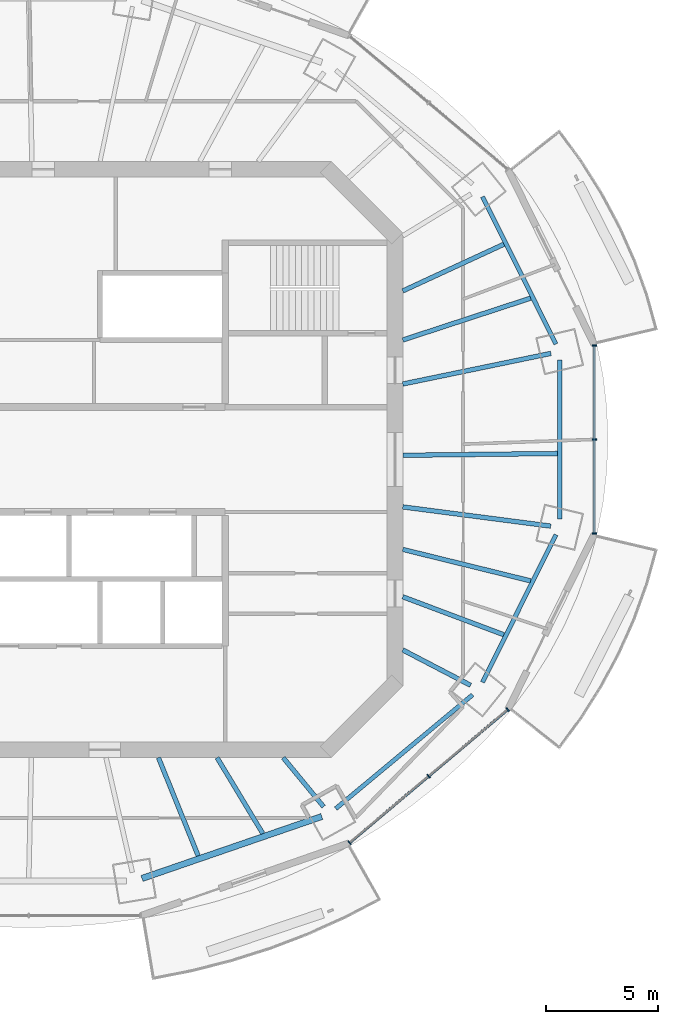
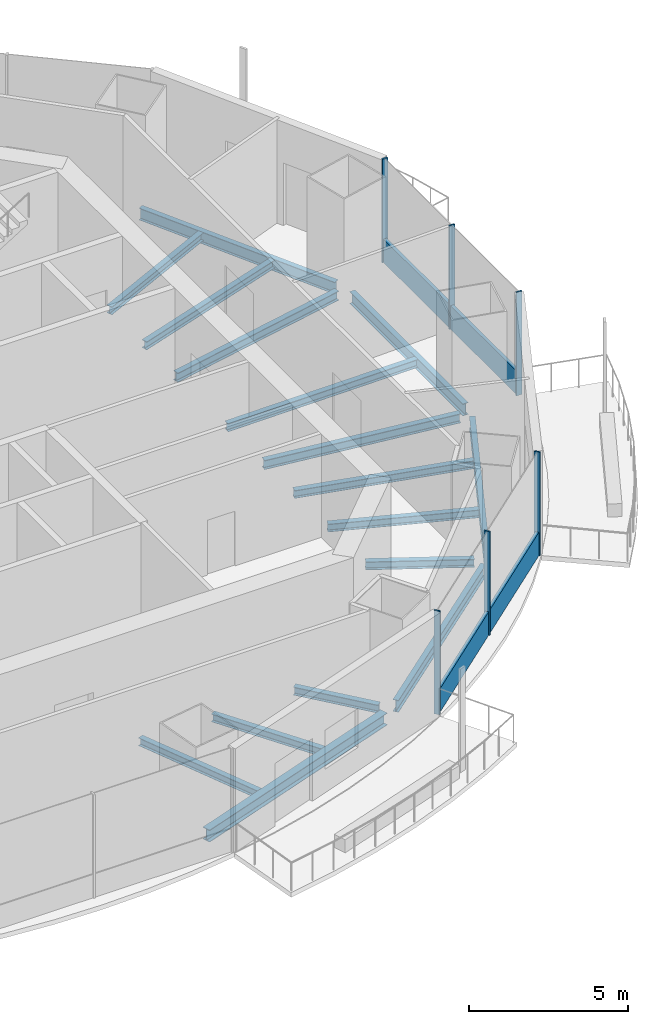
# One storey, part 4 of 16: 16 beams, 8 members, 2 elements without a shape of their own.
"""IFC4 building model written with IfcOpenShell, lengths in metres."""

import ifcopenshell
import ifcopenshell.guid

model = None  # the IFC model being written
_history = None  # IfcOwnerHistory: only IFC2X3 demands one
_inside = {}  # id of a spatial element -> (the spatial element, [elements in it])
_under = {}  # id of a project, library or spatial element -> (it, [spatial elements below it])
_declared = {}  # id of a project -> (the project, [libraries it declares])
_typed = {}  # id of a type object -> (the type object, [elements of that type])
_made_of = {}  # id of a material, layer set ... -> (it, [elements and type objects made of it])


def new_model(schema):
    """Start an empty IFC model of exactly this schema.

    Asked for "IFC4X3", IfcOpenShell would pick the latest addendum, in which some entities
    have other attributes; the version numbers below select the first issue.
    IFC2X3 requires an IfcOwnerHistory on every rooted entity: one is made here for all.
    """
    global model, _history
    if schema == "IFC4X3":
        model = ifcopenshell.file(schema_version=(4, 3, 0, 0))
    else:
        model = ifcopenshell.file(schema=schema)
    _inside.clear()
    _under.clear()
    _declared.clear()
    _typed.clear()
    _made_of.clear()
    _history = None
    if model.schema == "IFC2X3":
        org = make("IfcOrganization", Name="unknown")
        user = make(
            "IfcPersonAndOrganization",
            ThePerson=make("IfcPerson", FamilyName="unknown"),
            TheOrganization=org,
        )
        app = make(
            "IfcApplication",
            ApplicationDeveloper=org,
            Version="unknown",
            ApplicationFullName="unknown",
            ApplicationIdentifier="unknown",
        )
        _history = make(
            "IfcOwnerHistory",
            OwningUser=user,
            OwningApplication=app,
            ChangeAction="ADDED",
            CreationDate=0,
        )
    return model


def make(cls, **values):
    """One entity of the class cls with the attributes given. An attribute that is None is left unset."""
    return model.create_entity(
        cls, **{name: value for name, value in values.items() if value is not None}
    )


def rooted(cls, **values):
    """An entity with a GlobalId (a new one), such as an element, a storey or a relation."""
    return make(cls, GlobalId=ifcopenshell.guid.new(), OwnerHistory=_history, **values)


def si_unit(unit_type, name, prefix=None):
    """IfcSIUnit, for example si_unit("LENGTHUNIT", "METRE", prefix="MILLI")."""
    return make("IfcSIUnit", UnitType=unit_type, Prefix=prefix, Name=name)


def assignment(units):
    """IfcUnitAssignment: the units of a project."""
    return None if units is None else make("IfcUnitAssignment", Units=units)


def point(xyz):
    """IfcCartesianPoint."""
    return None if xyz is None else make("IfcCartesianPoint", Coordinates=xyz)


def direction(xyz):
    """IfcDirection."""
    return None if xyz is None else make("IfcDirection", DirectionRatios=xyz)


def frame(location, z_axis=None, x_axis=None):
    """IfcAxis2Placement3D, a coordinate frame: its origin and axes. An axis left out is left unset."""
    return make(
        "IfcAxis2Placement3D",
        Location=point(location),
        Axis=direction(z_axis),
        RefDirection=direction(x_axis),
    )


def frame_2d(location, x_axis=None):
    """IfcAxis2Placement2D, a coordinate frame in the plane: its origin and x axis."""
    return make(
        "IfcAxis2Placement2D", Location=point(location), RefDirection=direction(x_axis)
    )


def origin():
    """The frame at (0, 0, 0) with its axes left unset."""
    return frame((0.0, 0.0, 0.0))


def origin_2d():
    """The frame at (0, 0) in the plane with its x axis left unset."""
    return frame_2d((0.0, 0.0))


def place(relative_to, where):
    """IfcLocalPlacement: puts the frame where relative to a parent placement (None: the world)."""
    return make(
        "IfcLocalPlacement", PlacementRelTo=relative_to, RelativePlacement=where
    )


def context(
    kind, dimensions, precision=None, world=None, true_north=None, identifier=None
):
    """IfcGeometricRepresentationContext, for example the 3D "Model" context."""
    return make(
        "IfcGeometricRepresentationContext",
        ContextIdentifier=identifier,
        ContextType=kind,
        CoordinateSpaceDimension=dimensions,
        Precision=precision,
        WorldCoordinateSystem=world,
        TrueNorth=true_north,
    )


def subcontext(parent, identifier, kind, view, scale=None):
    """IfcGeometricRepresentationSubContext, for example "Body" below "Model"."""
    return make(
        "IfcGeometricRepresentationSubContext",
        ContextIdentifier=identifier,
        ContextType=kind,
        ParentContext=parent,
        TargetScale=scale,
        TargetView=view,
    )


def project(units=None, contexts=None):
    """IfcProject with its units and contexts."""
    return rooted(
        "IfcProject",
        Name="project",
        RepresentationContexts=contexts,
        UnitsInContext=assignment(units),
    )


def spatial(cls, under=None, at=None, **own):
    """A site, building, storey or space (cls), placed at a placement, below another one or the project."""
    s = rooted(cls, ObjectPlacement=at, **own)
    if under is not None:
        _under.setdefault(under.id(), (under, []))[1].append(s)
    return s


def profile(cls, at=None, kind="AREA", **sizes):
    """A parametric profile (cls). Its sizes go by their IFC names, for example OverallWidth=200.0."""
    return make(cls, ProfileType=kind, Position=at, **sizes)


def rectangle(**sizes):
    """IfcRectangleProfileDef."""
    return profile("IfcRectangleProfileDef", **sizes)


def i_section(**sizes):
    """IfcIShapeProfileDef."""
    return profile("IfcIShapeProfileDef", **sizes)


def extrude(swept, where, along, depth):
    """IfcExtrudedAreaSolid: the profile swept, set in the frame where, extruded along a direction by depth."""
    return make(
        "IfcExtrudedAreaSolid",
        SweptArea=swept,
        Position=where,
        ExtrudedDirection=direction(along),
        Depth=depth,
    )


def shape(context_of_items, identifier, shape_type, items):
    """IfcShapeRepresentation: the items that make up one representation, for example the "Body"."""
    return make(
        "IfcShapeRepresentation",
        ContextOfItems=context_of_items,
        RepresentationIdentifier=identifier,
        RepresentationType=shape_type,
        Items=items,
    )


def material(Name=None, Category=None):
    """IfcMaterial."""
    return make("IfcMaterial", Name=Name, Category=Category)


def material_profile(
    of_material, cross_section, Name=None, Category=None, Priority=None
):
    """IfcMaterialProfile: a cross section and its material."""
    return make(
        "IfcMaterialProfile",
        Name=Name,
        Material=of_material,
        Profile=cross_section,
        Priority=Priority,
        Category=Category,
    )


def profile_set(profiles, Name=None, composite=None):
    """IfcMaterialProfileSet."""
    return make(
        "IfcMaterialProfileSet",
        Name=Name,
        MaterialProfiles=profiles,
        CompositeProfile=composite,
    )


def made_of(thing, what):
    """Note that an element or type object is made of a material, layer set ...; save() writes the relation."""
    if what is not None:
        _made_of.setdefault(what.id(), (what, []))[1].append(thing)
    return thing


def type_object(cls, material=None, **own):
    """A type object (cls), such as IfcWallType, which elements share."""
    return made_of(rooted(cls, **own), material)


def element(
    cls,
    number,
    at=None,
    inside=None,
    cuts=None,
    type_object=None,
    material=None,
    context=None,
    identifier="Body",
    shape_type=None,
    held_by="IfcProductDefinitionShape",
    body=None,
    shapes=None,
    **own,
):
    """One element of the class cls, such as IfcWall. Its Tag is "e" and its number.

    at: its placement. inside: the storey or other place that contains it. cuts: it is an
    opening in that element (IfcRelVoidsElement). A single representation is given by context,
    identifier, shape_type and body (its items); several are given by shapes. held_by: the class
    of the entity that holds the representations. save() writes the other relations.
    """
    e = rooted(cls, Tag="e%d" % number, ObjectPlacement=at, **own)
    if body is not None:
        shapes = [shape(context, identifier, shape_type, body)]
    if shapes is not None:
        e.Representation = make(held_by, Representations=shapes)
    if inside is not None:
        _inside.setdefault(inside.id(), (inside, []))[1].append(e)
    if cuts is not None:
        rooted(
            "IfcRelVoidsElement", RelatingBuildingElement=cuts, RelatedOpeningElement=e
        )
    if type_object is not None:
        _typed.setdefault(type_object.id(), (type_object, []))[1].append(e)
    return made_of(e, material)


def aggregate(whole, parts):
    """IfcRelAggregates: a whole, such as a stair, and the parts it consists of."""
    return rooted("IfcRelAggregates", RelatingObject=whole, RelatedObjects=parts)


def save(model, path):
    """Write the relations noted so far, then the file.

    IfcRelAggregates (storeys below a building ...), IfcRelContainedInSpatialStructure (elements
    in a storey), IfcRelDefinesByType, IfcRelAssociatesMaterial and IfcRelDeclares: one each for
    every whole, place, type object, material and project.
    """
    for whole, parts in _under.values():
        aggregate(whole, parts)
    for where, things in _inside.values():
        rooted(
            "IfcRelContainedInSpatialStructure",
            RelatedElements=things,
            RelatingStructure=where,
        )
    for kind, things in _typed.values():
        rooted("IfcRelDefinesByType", RelatedObjects=things, RelatingType=kind)
    for what, things in _made_of.values():
        rooted("IfcRelAssociatesMaterial", RelatedObjects=things, RelatingMaterial=what)
    for by, libraries in _declared.values():
        rooted("IfcRelDeclares", RelatingContext=by, RelatedDefinitions=libraries)
    model.write(path)


model = new_model("IFC4")

# Units and contexts
model_context = context("Model", 3, precision=1e-05, world=origin(), true_north=direction((0.0, 1.0)))
body_context = subcontext(model_context, "Body", "Model", "MODEL_VIEW")
ifc_project = project(units=[si_unit("LENGTHUNIT", "METRE"), si_unit("AREAUNIT", "SQUARE_METRE"), si_unit("VOLUMEUNIT", "CUBIC_METRE"), si_unit("PLANEANGLEUNIT", "RADIAN"), si_unit("MASSUNIT", "GRAM", prefix="KILO")], contexts=[model_context])

# Site, building, storey
site_placement = place(None, origin())
site = spatial("IfcSite", under=ifc_project, at=site_placement, CompositionType="ELEMENT")
building_placement = place(site_placement, origin())
building = spatial("IfcBuilding", under=site, at=building_placement, Name="Marenthal Gate Tower", CompositionType="ELEMENT")
storey_placement = place(building_placement, frame((0.0, 0.0, 379.949951171875)))
storey = spatial("IfcBuildingStorey", under=building, at=storey_placement, Name="L86", CompositionType="ELEMENT", Elevation=379.949951171875)

# Curtain wall, members
ifc_material_1 = material(Name="Aluminium and glass", Category="aluminium")
curtain_wall_type = type_object("IfcCurtainWallType", Name="Curtain wall typical high", PredefinedType="NOTDEFINED", material=ifc_material_1)
curtain_wall_1_placement = place(storey_placement, origin())
curtain_wall_1 = element("IfcCurtainWall", 1, at=curtain_wall_1_placement, inside=storey, type_object=curtain_wall_type, Name="Curtain wall L86 bay 14", PredefinedType="NOTDEFINED")
ifc_material_2 = material(Name="Aluminium", Category="aluminium")
ifc_material_profile_1 = material_profile(ifc_material_2, rectangle(XDim=0.199951171875, YDim=0.06005859375, at=origin_2d()), Name="60x200 aluminium mullion")
ifc_profile_set_1 = profile_set([ifc_material_profile_1], Name="Aluminium")
member_type_1 = type_object("IfcMemberType", Name="Mullion 60x200 typical high", PredefinedType="MULLION", material=ifc_profile_set_1)
member_1_placement = place(storey_placement, frame((13.96875, -17.160888671875, 0.0), z_axis=(0.0, 0.0, 1.0), x_axis=(-0.64413508453, 0.764911754961, 0.0)))
member_1 = element("IfcMember", 2, at=member_1_placement, type_object=member_type_1, Name="Mullion L86 bay 14.1", PredefinedType="MULLION", context=body_context, shape_type="SweptSolid", body=[
    extrude(rectangle(XDim=0.199951171875, YDim=0.06005859375, at=origin_2d()), origin(), (0.0, 0.0, 1.0), 3.969970703125),
])
member_2_placement = place(storey_placement, frame((17.508056640625, -14.1806640625, 0.0), z_axis=(0.0, 0.0, 1.0), x_axis=(-0.64413508453, 0.764911754961, 0.0)))
member_2 = element("IfcMember", 3, at=member_2_placement, type_object=member_type_1, Name="Mullion L86 bay 14.2", PredefinedType="MULLION", context=body_context, shape_type="SweptSolid", body=[
    extrude(rectangle(XDim=0.199951171875, YDim=0.06005859375, at=origin_2d()), origin(), (0.0, 0.0, 1.0), 3.969970703125),
])
member_3_placement = place(storey_placement, frame((21.04736328125, -11.2001953125, 0.0), z_axis=(0.0, 0.0, 1.0), x_axis=(-0.64413508453, 0.764911754961, 0.0)))
member_3 = element("IfcMember", 4, at=member_3_placement, type_object=member_type_1, Name="Mullion L86 bay 14.3", PredefinedType="MULLION", context=body_context, shape_type="SweptSolid", body=[
    extrude(rectangle(XDim=0.199951171875, YDim=0.06005859375, at=origin_2d()), origin(), (0.0, 0.0, 1.0), 3.969970703125),
])

curtain_wall_2_placement = place(storey_placement, origin())
curtain_wall_2 = element("IfcCurtainWall", 5, at=curtain_wall_2_placement, inside=storey, type_object=curtain_wall_type, Name="Curtain wall L86 bay 16", PredefinedType="NOTDEFINED")
member_4_placement = place(storey_placement, frame((24.92578125, -3.312255859375, 0.0), z_axis=(0.0, 0.0, 1.0), x_axis=(-1.0, 0.0, 0.0)))
member_4 = element("IfcMember", 6, at=member_4_placement, type_object=member_type_1, Name="Mullion L86 bay 16.1", PredefinedType="MULLION", context=body_context, shape_type="SweptSolid", body=[
    extrude(rectangle(XDim=0.199951171875, YDim=0.06005859375, at=origin_2d()), origin(), (0.0, 0.0, 1.0), 3.969970703125),
])
member_5_placement = place(storey_placement, frame((24.92578125, 0.89990234375, 0.0), z_axis=(0.0, 0.0, 1.0), x_axis=(-1.0, 0.0, 0.0)))
member_5 = element("IfcMember", 7, at=member_5_placement, type_object=member_type_1, Name="Mullion L86 bay 16.2", PredefinedType="MULLION", context=body_context, shape_type="SweptSolid", body=[
    extrude(rectangle(XDim=0.199951171875, YDim=0.06005859375, at=origin_2d()), origin(), (0.0, 0.0, 1.0), 3.969970703125),
])
member_6_placement = place(storey_placement, frame((24.92578125, 5.1123046875, 0.0), z_axis=(0.0, 0.0, 1.0), x_axis=(-1.0, 0.0, 0.0)))
member_6 = element("IfcMember", 8, at=member_6_placement, type_object=member_type_1, Name="Mullion L86 bay 16.3", PredefinedType="MULLION", context=body_context, shape_type="SweptSolid", body=[
    extrude(rectangle(XDim=0.199951171875, YDim=0.06005859375, at=origin_2d()), origin(), (0.0, 0.0, 1.0), 3.969970703125),
])

# Member
ifc_material_3 = material(Name="Aluminium", Category="aluminium")
ifc_material_profile_2 = material_profile(ifc_material_3, rectangle(XDim=0.1201171875, YDim=0.89990234375, at=origin_2d()), Name="120x900 aluminium transom")
ifc_profile_set_2 = profile_set([ifc_material_profile_2], Name="Aluminium")
member_type_2 = type_object("IfcMemberType", Name="Transom 120x900 typical high", PredefinedType="USERDEFINED", material=ifc_profile_set_2)
member_7_placement = place(storey_placement, frame((13.99169921875, -17.1416015625, 0.449951171875), z_axis=(0.764920149863, 0.644125115435, 0.0), x_axis=(-0.644125115435, 0.764920149863, 0.0)))
member_7 = element("IfcMember", 9, at=member_7_placement, type_object=member_type_2, Name="Transom L86 bay 14", ObjectType="TRANSOM", PredefinedType="USERDEFINED", context=body_context, shape_type="SweptSolid", body=[
    extrude(rectangle(XDim=0.1201171875, YDim=0.89990234375, at=origin_2d()), origin(), (0.0, 0.0, 1.0), 9.194091796875),
])

aggregate(curtain_wall_1, [member_1, member_2, member_3, member_7])

member_8_placement = place(storey_placement, frame((24.92578125, -3.2822265625, 0.449951171875), z_axis=(0.0, 1.0, 0.0), x_axis=(-1.0, 0.0, 0.0)))
member_8 = element("IfcMember", 10, at=member_8_placement, type_object=member_type_2, Name="Transom L86 bay 16", ObjectType="TRANSOM", PredefinedType="USERDEFINED", context=body_context, shape_type="SweptSolid", body=[
    extrude(rectangle(XDim=0.1201171875, YDim=0.89990234375, at=origin_2d()), origin(), (0.0, 0.0, 1.0), 8.364501953125),
])

aggregate(curtain_wall_2, [member_4, member_5, member_6, member_8])

# Beams
ifc_material_4 = material(Name="Steel S355", Category="steel")
ifc_material_profile_3 = material_profile(ifc_material_4, i_section(OverallWidth=0.202880859375, OverallDepth=0.302001953125, WebThickness=0.007568359375, FlangeThickness=0.01318359375, FilletRadius=0.0126953125, at=origin_2d()), Name="W310X60")
ifc_profile_set_3 = profile_set([ifc_material_profile_3], Name="Steel S355")
beam_type_1 = type_object("IfcBeamType", Name="W310X60 beam", PredefinedType="BEAM", material=ifc_profile_set_3)
beam_1_placement = place(storey_placement, frame((20.876220703125, 9.639892578125, -0.3310546875), z_axis=(-0.907874801324, -0.419241392423, 0.0), x_axis=(0.419241392423, -0.907874801324, 0.0)))
element("IfcBeam", 11, at=beam_1_placement, inside=storey, type_object=beam_type_1, Name="BM-L86-18", PredefinedType="BEAM", context=body_context, shape_type="SweptSolid", body=[
    extrude(i_section(OverallWidth=0.202880859375, OverallDepth=0.302001953125, WebThickness=0.007568359375, FlangeThickness=0.01318359375, FilletRadius=0.0126953125, at=origin_2d()), origin(), (0.0, 0.0, 1.0), 4.9853515625),
])
beam_2_placement = place(storey_placement, frame((7.18994140625, -17.744384765625, -0.3310546875), z_axis=(-0.375577216906, 0.92679110599, 0.0), x_axis=(-0.92679110599, -0.375577216906, 0.0)))
element("IfcBeam", 12, at=beam_2_placement, inside=storey, type_object=beam_type_1, Name="BM-L86-34", PredefinedType="BEAM", context=body_context, shape_type="SweptSolid", body=[
    extrude(i_section(OverallWidth=0.202880859375, OverallDepth=0.302001953125, WebThickness=0.007568359375, FlangeThickness=0.01318359375, FilletRadius=0.0126953125, at=origin_2d()), origin(), (0.0, 0.0, 1.0), 4.741455078125),
])
beam_3_placement = place(storey_placement, frame((10.08154296875, -16.748046875, -0.3310546875), z_axis=(-0.515726369496, 0.856753355293, 0.0), x_axis=(-0.856753355293, -0.515726369496, 0.0)))
element("IfcBeam", 13, at=beam_3_placement, inside=storey, type_object=beam_type_1, Name="BM-L86-35", PredefinedType="BEAM", context=body_context, shape_type="SweptSolid", body=[
    extrude(i_section(OverallWidth=0.202880859375, OverallDepth=0.302001953125, WebThickness=0.007568359375, FlangeThickness=0.01318359375, FilletRadius=0.0126953125, at=origin_2d()), origin(), (0.0, 0.0, 1.0), 3.966064453125),
])
beam_4_placement = place(storey_placement, frame((20.873291015625, -7.84619140625, -0.3310546875), z_axis=(-0.936056897924, 0.351848666117, 0.0), x_axis=(-0.351848666117, -0.936056897924, 0.0)))
element("IfcBeam", 14, at=beam_4_placement, inside=storey, type_object=beam_type_1, Name="BM-L86-36", PredefinedType="BEAM", context=body_context, shape_type="SweptSolid", body=[
    extrude(i_section(OverallWidth=0.202880859375, OverallDepth=0.302001953125, WebThickness=0.007568359375, FlangeThickness=0.01318359375, FilletRadius=0.0126953125, at=origin_2d()), origin(), (0.0, 0.0, 1.0), 4.832275390625),
])
beam_5_placement = place(storey_placement, frame((22.07470703125, -5.43359375, -0.3310546875), z_axis=(-0.971013104532, 0.239026255517, 0.0), x_axis=(-0.239026255517, -0.971013104532, 0.0)))
element("IfcBeam", 15, at=beam_5_placement, inside=storey, type_object=beam_type_1, Name="BM-L86-37", PredefinedType="BEAM", context=body_context, shape_type="SweptSolid", body=[
    extrude(i_section(OverallWidth=0.202880859375, OverallDepth=0.302001953125, WebThickness=0.007568359375, FlangeThickness=0.01318359375, FilletRadius=0.0126953125, at=origin_2d()), origin(), (0.0, 0.0, 1.0), 5.8955078125),
])
ifc_material_5 = material(Name="Steel S355", Category="steel")
ifc_material_profile_4 = material_profile(ifc_material_5, i_section(OverallWidth=0.205078125, OverallDepth=0.31005859375, WebThickness=0.009521484375, FlangeThickness=0.016357421875, FilletRadius=0.0126953125, at=origin_2d()), Name="W310X74")
ifc_profile_set_4 = profile_set([ifc_material_profile_4], Name="Steel S355")
beam_type_2 = type_object("IfcBeamType", Name="W310X74 beam", PredefinedType="BEAM", material=ifc_profile_set_4)
beam_6_placement = place(storey_placement, frame((12.80419921875, -15.546142578125, -0.3349609375), z_axis=(-0.635776430195, 0.771873260846, 0.0), x_axis=(-0.771873260846, -0.635776430195, 0.0)))
element("IfcBeam", 16, at=beam_6_placement, inside=storey, type_object=beam_type_2, Name="BM-L86-14", PredefinedType="BEAM", context=body_context, shape_type="SweptSolid", body=[
    extrude(i_section(OverallWidth=0.205078125, OverallDepth=0.31005859375, WebThickness=0.009521484375, FlangeThickness=0.016357421875, FilletRadius=0.0126953125, at=origin_2d()), origin(), (0.0, 0.0, 1.0), 2.844970703125),
])
beam_7_placement = place(storey_placement, frame((19.38623046875, -10.110107421875, -0.3349609375), z_axis=(-0.886653485234, 0.462434424673, 0.0), x_axis=(-0.462434424673, -0.886653485234, 0.0)))
element("IfcBeam", 17, at=beam_7_placement, inside=storey, type_object=beam_type_2, Name="BM-L86-15", PredefinedType="BEAM", context=body_context, shape_type="SweptSolid", body=[
    extrude(i_section(OverallWidth=0.205078125, OverallDepth=0.31005859375, WebThickness=0.009521484375, FlangeThickness=0.016357421875, FilletRadius=0.0126953125, at=origin_2d()), origin(), (0.0, 0.0, 1.0), 3.42431640625),
])
beam_8_placement = place(storey_placement, frame((22.077880859375, 7.22705078125, -0.3349609375), z_axis=(-0.9503749188, -0.311106916857, 0.0), x_axis=(0.311106916857, -0.9503749188, 0.0)))
element("IfcBeam", 18, at=beam_8_placement, inside=storey, type_object=beam_type_2, Name="BM-L86-17", PredefinedType="BEAM", context=body_context, shape_type="SweptSolid", body=[
    extrude(i_section(OverallWidth=0.205078125, OverallDepth=0.31005859375, WebThickness=0.009521484375, FlangeThickness=0.016357421875, FilletRadius=0.0126953125, at=origin_2d()), origin(), (0.0, 0.0, 1.0), 6.02685546875),
])
beam_9_placement = place(storey_placement, frame((23.28076171875, 0.26953125, -0.3349609375), z_axis=(-0.999932849622, -0.011588625741, 0.0), x_axis=(0.011588625741, -0.999932849622, 0.0)))
element("IfcBeam", 19, at=beam_9_placement, inside=storey, type_object=beam_type_2, Name="BM-L86-38", PredefinedType="BEAM", context=body_context, shape_type="SweptSolid", body=[
    extrude(i_section(OverallWidth=0.205078125, OverallDepth=0.31005859375, WebThickness=0.009521484375, FlangeThickness=0.016357421875, FilletRadius=0.0126953125, at=origin_2d()), origin(), (0.0, 0.0, 1.0), 6.93115234375),
])
ifc_material_6 = material(Name="Steel S355", Category="steel")
ifc_material_profile_5 = material_profile(ifc_material_6, i_section(OverallWidth=0.205078125, OverallDepth=0.35302734375, WebThickness=0.009521484375, FlangeThickness=0.016845703125, FilletRadius=0.014892578125, at=origin_2d()), Name="W360X79")
ifc_profile_set_5 = profile_set([ifc_material_profile_5], Name="Steel S355")
beam_type_3 = type_object("IfcBeamType", Name="W360X79 beam", PredefinedType="BEAM", material=ifc_profile_set_5)
beam_10_placement = place(storey_placement, frame((22.98388671875, 4.7529296875, -0.3564453125), z_axis=(-0.979280386775, -0.202509071592, 0.0), x_axis=(0.202509071592, -0.979280386775, 0.0)))
element("IfcBeam", 20, at=beam_10_placement, inside=storey, type_object=beam_type_3, Name="BM-L86-01", PredefinedType="BEAM", context=body_context, shape_type="SweptSolid", body=[
    extrude(i_section(OverallWidth=0.205078125, OverallDepth=0.35302734375, WebThickness=0.009521484375, FlangeThickness=0.016845703125, FilletRadius=0.014892578125, at=origin_2d()), origin(), (0.0, 0.0, 1.0), 6.774169921875),
])
beam_11_placement = place(storey_placement, frame((22.974609375, -2.98193359375, -0.3564453125), z_axis=(-0.991680921641, 0.128720432152, 0.0), x_axis=(-0.128720432152, -0.991680921641, 0.0)))
element("IfcBeam", 21, at=beam_11_placement, inside=storey, type_object=beam_type_3, Name="BM-L86-16", PredefinedType="BEAM", context=body_context, shape_type="SweptSolid", body=[
    extrude(i_section(OverallWidth=0.205078125, OverallDepth=0.35302734375, WebThickness=0.009521484375, FlangeThickness=0.016845703125, FilletRadius=0.014892578125, at=origin_2d()), origin(), (0.0, 0.0, 1.0), 6.68017578125),
])
ifc_material_7 = material(Name="Steel S355", Category="steel")
ifc_material_profile_6 = material_profile(ifc_material_7, i_section(OverallWidth=0.279052734375, OverallDepth=0.4619140625, WebThickness=0.0107421875, FlangeThickness=0.017333984375, FilletRadius=0.010009765625, at=origin_2d()), Name="W460X113")
ifc_profile_set_6 = profile_set([ifc_material_profile_6], Name="Steel S355")
beam_type_4 = type_object("IfcBeamType", Name="W460X113 beam", PredefinedType="BEAM", material=ifc_profile_set_6)
beam_12_placement = place(storey_placement, frame((4.671875, -18.759521484375, -0.410888671875), z_axis=(0.945450630653, 0.32576541406, 0.0), x_axis=(-0.32576541406, 0.945450630653, 0.0)))
element("IfcBeam", 22, at=beam_12_placement, inside=storey, type_object=beam_type_4, Name="BM-L86-51", PredefinedType="BEAM", context=body_context, shape_type="SweptSolid", body=[
    extrude(i_section(OverallWidth=0.279052734375, OverallDepth=0.4619140625, WebThickness=0.0107421875, FlangeThickness=0.017333984375, FilletRadius=0.010009765625, at=origin_2d()), origin(), (0.0, 0.0, 1.0), 8.517333984375),
])
ifc_material_8 = material(Name="Steel S355", Category="steel")
ifc_material_profile_7 = material_profile(ifc_material_8, i_section(OverallWidth=0.19091796875, OverallDepth=0.45703125, WebThickness=0.009033203125, FlangeThickness=0.014404296875, FilletRadius=0.01025390625, at=origin_2d()), Name="W460X74")
ifc_profile_set_7 = profile_set([ifc_material_profile_7], Name="Steel S355")
beam_type_5 = type_object("IfcBeamType", Name="W460X74 beam", PredefinedType="BEAM", material=ifc_profile_set_7)
beam_13_placement = place(storey_placement, frame((23.210205078125, 5.16748046875, -0.408447265625), z_axis=(-0.445757037606, 0.895153988666, 0.0), x_axis=(-0.895153988666, -0.445757037606, 0.0)))
element("IfcBeam", 23, at=beam_13_placement, inside=storey, type_object=beam_type_5, Name="BM-L86-39", PredefinedType="BEAM", context=body_context, shape_type="SweptSolid", body=[
    extrude(i_section(OverallWidth=0.19091796875, OverallDepth=0.45703125, WebThickness=0.009033203125, FlangeThickness=0.014404296875, FilletRadius=0.01025390625, at=origin_2d()), origin(), (0.0, 0.0, 1.0), 7.3779296875),
])
beam_14_placement = place(storey_placement, frame((13.3486328125, -15.63330078125, -0.408447265625), z_axis=(0.76879863702, 0.639490934819, 0.0), x_axis=(-0.639490934819, 0.76879863702, 0.0)))
element("IfcBeam", 24, at=beam_14_placement, inside=storey, type_object=beam_type_5, Name="BM-L86-52", PredefinedType="BEAM", context=body_context, shape_type="SweptSolid", body=[
    extrude(i_section(OverallWidth=0.19091796875, OverallDepth=0.45703125, WebThickness=0.009033203125, FlangeThickness=0.014404296875, FilletRadius=0.01025390625, at=origin_2d()), origin(), (0.0, 0.0, 1.0), 7.967529296875),
])
beam_15_placement = place(storey_placement, frame((19.92138671875, -9.971923828125, -0.408447265625), z_axis=(0.445757037606, 0.895153988666, 0.0), x_axis=(-0.895153988666, 0.445757037606, 0.0)))
element("IfcBeam", 25, at=beam_15_placement, inside=storey, type_object=beam_type_5, Name="BM-L86-53", PredefinedType="BEAM", context=body_context, shape_type="SweptSolid", body=[
    extrude(i_section(OverallWidth=0.19091796875, OverallDepth=0.45703125, WebThickness=0.009033203125, FlangeThickness=0.014404296875, FilletRadius=0.01025390625, at=origin_2d()), origin(), (0.0, 0.0, 1.0), 7.3779296875),
])
beam_16_placement = place(storey_placement, frame((23.376220703125, -2.659912109375, -0.408447265625), z_axis=(0.0, 1.0, 0.0), x_axis=(-1.0, 0.0, 0.0)))
element("IfcBeam", 26, at=beam_16_placement, inside=storey, type_object=beam_type_5, Name="BM-L86-54", PredefinedType="BEAM", context=body_context, shape_type="SweptSolid", body=[
    extrude(i_section(OverallWidth=0.19091796875, OverallDepth=0.45703125, WebThickness=0.009033203125, FlangeThickness=0.014404296875, FilletRadius=0.01025390625, at=origin_2d()), origin(), (0.0, 0.0, 1.0), 7.119873046875),
])

save(model, "model.ifc")
